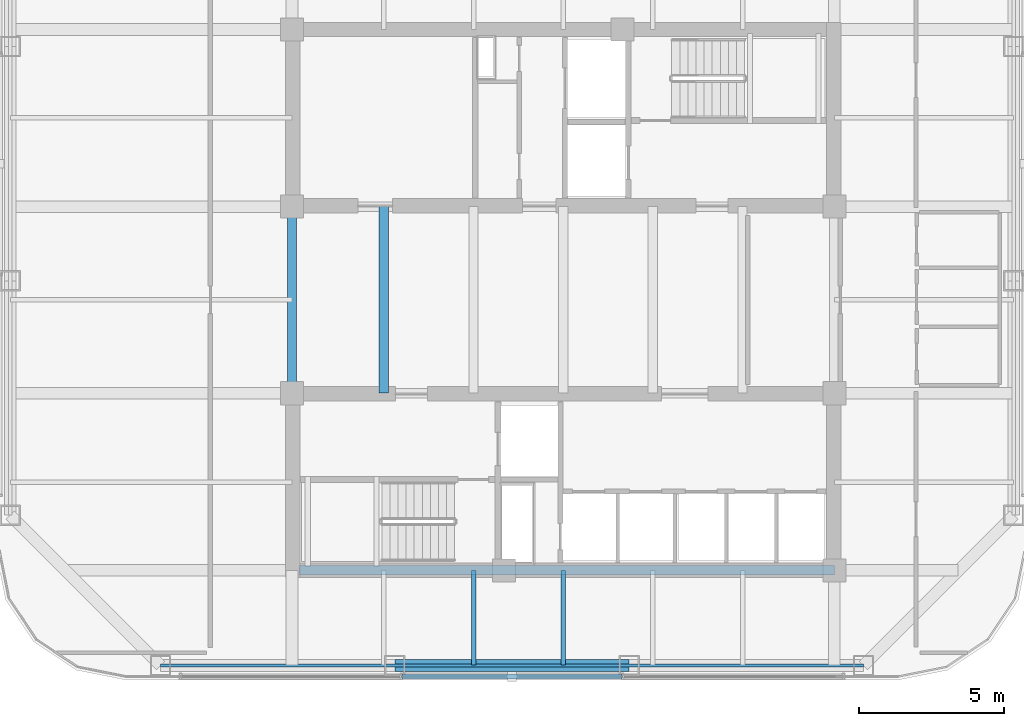
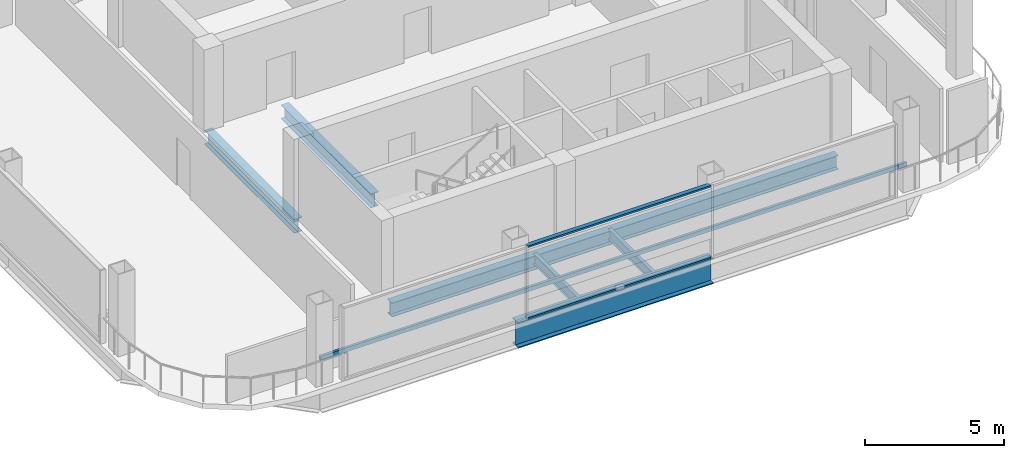
# One storey, part 3 of 19: 6 beams, 3 members, 1 element without a shape of its own.
"""IFC4 building model written with IfcOpenShell, lengths in metres."""

from ifc_helpers import new_model, si_unit, direction, frame, origin, origin_2d, place, context, subcontext, project, spatial, hollow_rectangle, i_section, extrude, material, layer, layer_set, material_profile, profile_set, type_object, element, aggregate, save


model = new_model("IFC4")

# Units and contexts
model_context = context("Model", 3, precision=1e-05, world=origin(), true_north=direction((0.0, 1.0)))
body_context = subcontext(model_context, "Body", "Model", "MODEL_VIEW")
ifc_project = project(units=[si_unit("LENGTHUNIT", "METRE"), si_unit("AREAUNIT", "SQUARE_METRE"), si_unit("VOLUMEUNIT", "CUBIC_METRE"), si_unit("PLANEANGLEUNIT", "RADIAN"), si_unit("MASSUNIT", "GRAM", prefix="KILO")], contexts=[model_context])

# Site, building, storey
site_placement = place(None, origin())
site = spatial("IfcSite", under=ifc_project, at=site_placement, CompositionType="ELEMENT")
building_placement = place(site_placement, origin())
building = spatial("IfcBuilding", under=site, at=building_placement, Name="Qhalaya Broadcast Tower", CompositionType="ELEMENT")
storey_placement = place(building_placement, frame((0.0, 0.0, 148.199951171875)))
storey = spatial("IfcBuildingStorey", under=building, at=storey_placement, Name="L43", CompositionType="ELEMENT", Elevation=148.199951171875)

# Beams
ifc_material_1 = material(Name="Structural Steel ASTM A992 Grade 50", Category="steel")
ifc_material_profile_1 = material_profile(ifc_material_1, i_section(OverallWidth=0.154052734375, OverallDepth=0.458984375, WebThickness=0.009033203125, FlangeThickness=0.015380859375, at=origin_2d()), Name="W18X46")
ifc_profile_set_1 = profile_set([ifc_material_profile_1], Name="Structural Steel ASTM A992 Grade 50")
beam_type_1 = type_object("IfcBeamType", Name="Composite Floor Joist J04", PredefinedType="JOIST", material=ifc_profile_set_1)
for number, where, z_axis, x_axis, name in (
    (1, (-3.10009765625, -12.02001953125, -0.449462890625), (0.0, 1.0, 0.0), (-1.0, 0.0, 0.0), "L43 J04 L43-JNS2-1"),
    (2, (0.0, -12.02001953125, -0.449462890625), (0.0, 1.0, 0.0), (-1.0, 0.0, 0.0), "L43 J04 L43-JNS3-1"),
):
    element("IfcBeam", number, at=place(storey_placement, frame(where, z_axis=z_axis, x_axis=x_axis)), inside=storey, type_object=beam_type_1, Name=name, PredefinedType="JOIST", context=body_context, shape_type="SweptSolid", body=[
        extrude(i_section(OverallWidth=0.154052734375, OverallDepth=0.458984375, WebThickness=0.009033203125, FlangeThickness=0.015380859375, at=origin_2d()), origin(), (0.0, 0.0, 1.0), 3.27001953125),
    ])
ifc_material_profile_2 = material_profile(ifc_material_1, i_section(OverallWidth=0.323974609375, OverallDepth=0.612060546875, WebThickness=0.0126953125, FlangeThickness=0.01904296875, at=origin_2d()), Name="W24X104")
ifc_profile_set_2 = profile_set([ifc_material_profile_2], Name="Structural Steel ASTM A992 Grade 50")
beam_type_2 = type_object("IfcBeamType", Name="Core Frame Tie Beam B04", PredefinedType="BEAM", material=ifc_profile_set_2)
beam_1_placement = place(storey_placement, frame((-9.1201171875, -8.75, -0.52587890625), z_axis=(1.0, 0.0, 0.0), x_axis=(0.0, 1.0, 0.0)))
element("IfcBeam", 3, at=beam_1_placement, inside=storey, type_object=beam_type_2, Name="L43 B04 L43-CCS3", PredefinedType="BEAM", context=body_context, shape_type="SweptSolid", body=[
    extrude(i_section(OverallWidth=0.323974609375, OverallDepth=0.612060546875, WebThickness=0.0126953125, FlangeThickness=0.01904296875, at=origin_2d()), origin(), (0.0, 0.0, 1.0), 18.4951171875),
])
for number, where, z_axis, x_axis, name in (
    (4, (-9.375, -2.625, -0.52587890625), (0.0, 1.0, 0.0), (-1.0, 0.0, 0.0), "L43 B04 L43-CCW"),
    (5, (-6.199951171875, -2.625, -0.52587890625), (0.0, 1.0, 0.0), (-1.0, 0.0, 0.0), "L43 B04 L43-JC1-1"),
):
    element("IfcBeam", number, at=place(storey_placement, frame(where, z_axis=z_axis, x_axis=x_axis)), inside=storey, type_object=beam_type_2, Name=name, PredefinedType="BEAM", context=body_context, shape_type="SweptSolid", body=[
        extrude(i_section(OverallWidth=0.323974609375, OverallDepth=0.612060546875, WebThickness=0.0126953125, FlangeThickness=0.01904296875, at=origin_2d()), origin(), (0.0, 0.0, 1.0), 6.449951171875),
    ])

# Member
ifc_material_2 = material(Name="Fired Architectural Terracotta", Category="masonry")
ifc_material_profile_3 = material_profile(ifc_material_2, hollow_rectangle(XDim=0.110107421875, YDim=0.179931640625, WallThickness=0.01806640625, at=origin_2d()), Name="TB-BAG 110x180x18")
ifc_profile_set_3 = profile_set([ifc_material_profile_3], Name="Fired Architectural Terracotta")
member_type_1 = type_object("IfcMemberType", Name="Fired Terracotta Facade Baguette Member TB1", PredefinedType="USERDEFINED", material=ifc_profile_set_3)
member_1_placement = place(storey_placement, frame((-13.919921875, -12.0400390625, 0.966064453125), z_axis=(1.0, 0.0, 0.0), x_axis=(0.0, 1.0, 0.0)))
element("IfcMember", 6, at=member_1_placement, inside=storey, type_object=member_type_1, Name="L43 Terracotta Baguette Feature Rail S", ObjectType="BAGUETTE", PredefinedType="USERDEFINED", context=body_context, shape_type="SweptSolid", body=[
    extrude(hollow_rectangle(XDim=0.110107421875, YDim=0.179931640625, WallThickness=0.01806640625, at=origin_2d()), origin(), (0.0, 0.0, 1.0), 24.2998046875),
])

# Beam
ifc_material_profile_4 = material_profile(ifc_material_1, i_section(OverallWidth=0.404052734375, OverallDepth=1.117919921875, WebThickness=0.026123046875, FlangeThickness=0.044921875, at=origin_2d()), Name="W44X335")
ifc_profile_set_4 = profile_set([ifc_material_profile_4], Name="Structural Steel ASTM A992 Grade 50")
beam_type_3 = type_object("IfcBeamType", Name="Podium Long-Span Primary Girder PG1", PredefinedType="USERDEFINED", material=ifc_profile_set_4)
beam_2_placement = place(storey_placement, frame((-5.820068359375, -12.0400390625, -0.779052734375), z_axis=(1.0, 0.0, 0.0), x_axis=(0.0, 1.0, 0.0)))
element("IfcBeam", 7, at=beam_2_placement, inside=storey, type_object=beam_type_3, Name="L43 PG1 L43-SPR-02", ObjectType="GIRDER", PredefinedType="USERDEFINED", context=body_context, shape_type="SweptSolid", body=[
    extrude(i_section(OverallWidth=0.404052734375, OverallDepth=1.117919921875, WebThickness=0.026123046875, FlangeThickness=0.044921875, at=origin_2d()), origin(), (0.0, 0.0, 1.0), 8.10009765625),
])

# Curtain wall, members
ifc_material_3 = material(Name="Solar-Control Low-E Triple Glazing", Category="glass")
ifc_layer = layer(ifc_material_3, 0.219970703125, Name="Solar-Control Low-E Triple Glazing")
ifc_layer_set = layer_set([ifc_layer], Name="Solar-Control Low-E Triple Glazing")
curtain_wall_type = type_object("IfcCurtainWallType", Name="Recessed Sky-Garden Neck Ribbon Curtain Wall CW-05", PredefinedType="NOTDEFINED", material=ifc_layer_set)
curtain_wall_placement = place(storey_placement, origin())
curtain_wall = element("IfcCurtainWall", 8, at=curtain_wall_placement, inside=storey, type_object=curtain_wall_type, Name="L43 Unitised Curtain Wall L43-CW-S", PredefinedType="NOTDEFINED")
ifc_material_4 = material(Name="Anodised Aluminium 6063-T6", Category="aluminium")
ifc_material_profile_5 = material_profile(ifc_material_4, hollow_rectangle(XDim=0.074951171875, YDim=0.179931640625, WallThickness=0.00390625, at=origin_2d()), Name="ALU-TRN 75x180x4")
ifc_profile_set_5 = profile_set([ifc_material_profile_5], Name="Anodised Aluminium 6063-T6")
member_type_2 = type_object("IfcMemberType", Name="Unitised Curtain-Wall Transom T01", PredefinedType="USERDEFINED", material=ifc_profile_set_5)
member_2_placement = place(storey_placement, frame((-5.56591796875, -12.419921875, 0.03759765625), z_axis=(1.0, 0.0, 0.0), x_axis=(0.0, 0.0, 1.0)))
member_2 = element("IfcMember", 9, at=member_2_placement, type_object=member_type_2, Name="CW-05 transom 2.1", ObjectType="TRANSOM", PredefinedType="USERDEFINED", context=body_context, shape_type="SweptSolid", body=[
    extrude(hollow_rectangle(XDim=0.074951171875, YDim=0.179931640625, WallThickness=0.00390625, at=origin_2d()), origin(), (0.0, 0.0, 1.0), 7.591796875),
])
member_3_placement = place(storey_placement, frame((-5.56591796875, -12.419921875, 3.1826171875), z_axis=(1.0, 0.0, 0.0), x_axis=(0.0, 0.0, 1.0)))
member_3 = element("IfcMember", 10, at=member_3_placement, type_object=member_type_2, Name="CW-05 transom 2.2", ObjectType="TRANSOM", PredefinedType="USERDEFINED", context=body_context, shape_type="SweptSolid", body=[
    extrude(hollow_rectangle(XDim=0.074951171875, YDim=0.179931640625, WallThickness=0.00390625, at=origin_2d()), origin(), (0.0, 0.0, 1.0), 7.591796875),
])
aggregate(curtain_wall, [member_2, member_3])

save(model, "model.ifc")
